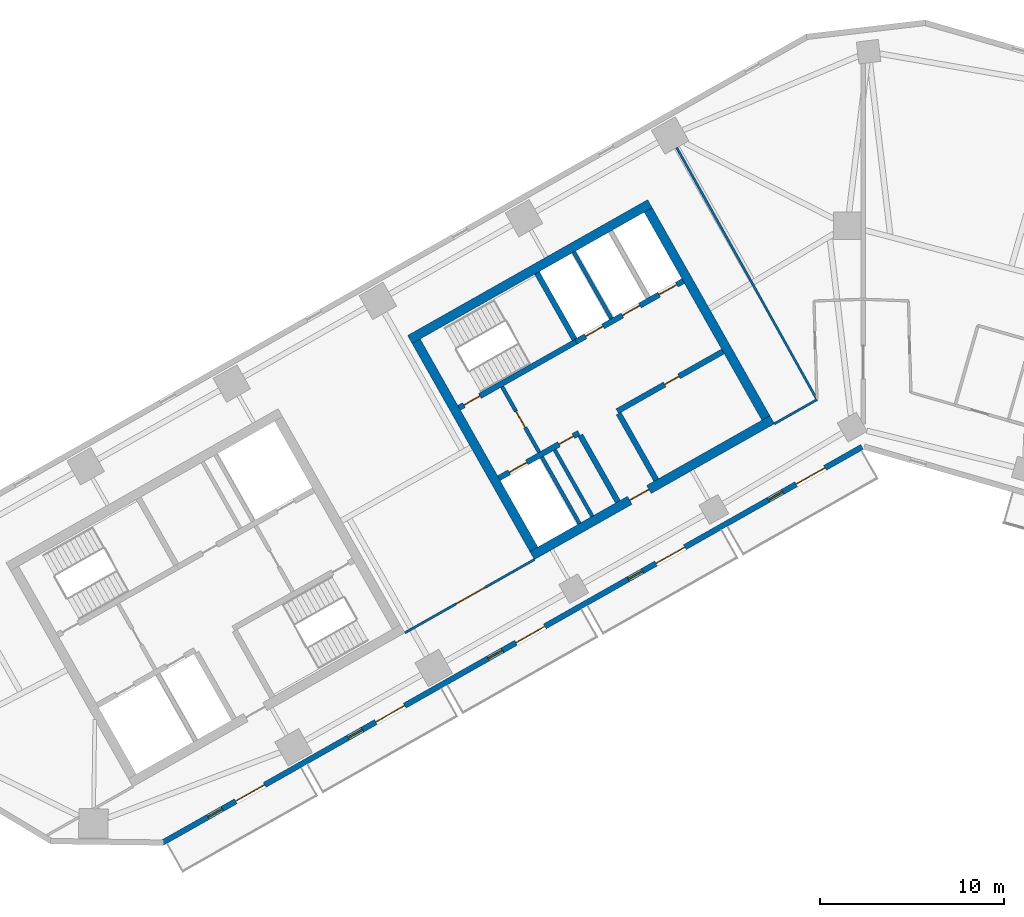
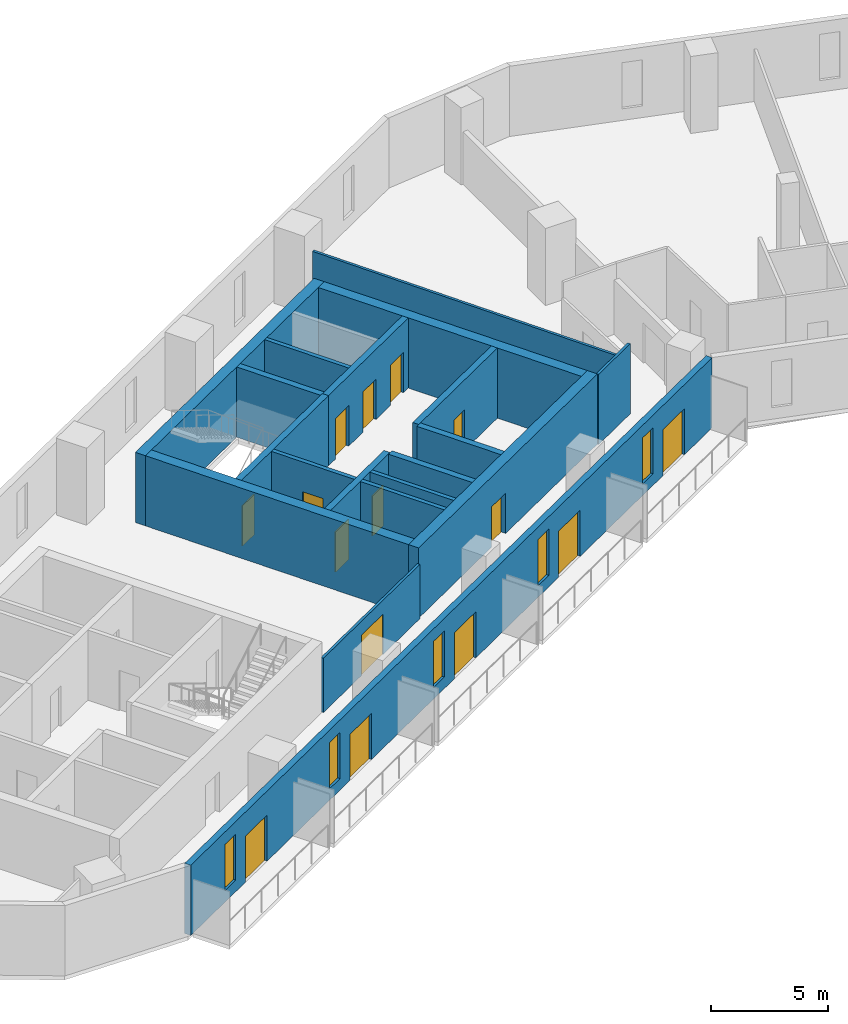
# One storey, part 4 of 9: 19 walls, 15 doors, 5 windows, 20 openings.
"""IFC4 building model written with IfcOpenShell, lengths in metres."""

from ifc_helpers import new_model, si_unit, direction, frame, frame_2d, origin, place, context, subcontext, project, spatial, rectangle, extrude, material, layer, layer_set, type_object, element, fill, save


model = new_model("IFC4")

# Units and contexts
model_context = context("Model", 3, precision=1e-05, world=origin(), true_north=direction((0.0, 1.0)))
body_context = subcontext(model_context, "Body", "Model", "MODEL_VIEW")
ifc_project = project(units=[si_unit("LENGTHUNIT", "METRE"), si_unit("AREAUNIT", "SQUARE_METRE"), si_unit("VOLUMEUNIT", "CUBIC_METRE"), si_unit("PLANEANGLEUNIT", "RADIAN"), si_unit("MASSUNIT", "GRAM", prefix="KILO")], contexts=[model_context])

# Site, building, storey
site_placement = place(None, origin())
site = spatial("IfcSite", under=ifc_project, at=site_placement, CompositionType="ELEMENT")
building_placement = place(site_placement, origin())
building = spatial("IfcBuilding", under=site, at=building_placement, Name="Binnacle Exchange Tower", CompositionType="ELEMENT")
storey_placement = place(building_placement, frame((0.0, 0.0, 198.89990234375)))
storey = spatial("IfcBuildingStorey", under=building, at=storey_placement, Name="L43", CompositionType="ELEMENT", Elevation=198.89990234375)

# Wall, openings, doors
ifc_material_1 = material(Name="Concrete C70/85", Category="concrete")
ifc_layer_1 = layer(ifc_material_1, 0.300048828125)
ifc_layer_set_1 = layer_set([ifc_layer_1], Name="Core wall - front 300")
wall_type_1 = type_object("IfcWallType", Name="Core wall - front 300", PredefinedType="SOLIDWALL", material=ifc_layer_set_1)
wall_1_placement = place(storey_placement, frame((-19.80517578125, 46.26708984375, 0.0), z_axis=(0.0, 0.0, 1.0), x_axis=(0.870353598469, 0.492427267353, 0.0)))
wall_1 = element("IfcWall", 1, at=wall_1_placement, inside=storey, type_object=wall_type_1, Name="Core wall CRWC2", PredefinedType="SOLIDWALL", context=body_context, shape_type="SweptSolid", body=[
    extrude(rectangle(XDim=5.0, YDim=0.300048828125, at=frame_2d((2.5, 0.0))), origin(), (0.0, 0.0, 1.0), 3.650146484375),
])
opening_1_placement = place(wall_1_placement, frame((0.64990234375, 0.0, 0.0)))
opening_1 = element("IfcOpeningElement", 2, at=opening_1_placement, cuts=wall_1, Name="Opening LD14", PredefinedType="OPENING", context=body_context, shape_type="SweptSolid", body=[
    extrude(rectangle(XDim=1.10009765625, YDim=2.10009765625, at=frame_2d((0.550048828125, 1.050048828125))), frame((0.0, 0.159912109375, 0.0), z_axis=(0.0, -1.0, 0.0), x_axis=(1.0, 0.0, 0.0)), (0.0, 0.0, 1.0), 0.320068359375),
])
opening_2_placement = place(wall_1_placement, frame((3.75, 0.0, 0.0)))
opening_2 = element("IfcOpeningElement", 3, at=opening_2_placement, cuts=wall_1, Name="Opening DC14", PredefinedType="OPENING", context=body_context, shape_type="SweptSolid", body=[
    extrude(rectangle(XDim=0.89990234375, YDim=2.10009765625, at=frame_2d((0.449951171875, 1.050048828125))), frame((0.0, 0.159912109375, 0.0), z_axis=(0.0, -1.0, 0.0), x_axis=(1.0, 0.0, 0.0)), (0.0, 0.0, 1.0), 0.320068359375),
])
ifc_material_2 = material(Name="Steel door leaf", Category="steel")
door_type_1 = type_object("IfcDoorType", Name="Fire door - lift landing 1100", OperationType="NOTDEFINED", PredefinedType="DOOR", material=ifc_material_2)
door_1_placement = place(opening_1_placement, origin())
door_1 = element("IfcDoor", 4, at=door_1_placement, inside=storey, type_object=door_type_1, Name="Landing door LD14 L43", OperationType="DOUBLE_DOOR_SLIDING", OverallHeight=2.10009765625, OverallWidth=1.10009765625, PredefinedType="DOOR", context=body_context, shape_type="SweptSolid", body=[
    extrude(rectangle(XDim=1.10009765625, YDim=2.10009765625, at=frame_2d((0.550048828125, 1.050048828125))), frame((0.0, 0.02490234375, 0.0), z_axis=(0.0, -1.0, 0.0), x_axis=(1.0, 0.0, 0.0)), (0.0, 0.0, 1.0), 0.050048828125),
])
fill(opening_1, door_1)
door_type_2 = type_object("IfcDoorType", Name="Fire door 900", OperationType="NOTDEFINED", PredefinedType="DOOR", material=ifc_material_2)
door_2_placement = place(opening_2_placement, frame((0.89990234375, 0.0, 0.0), z_axis=(0.0, 0.0, 1.0), x_axis=(-1.0, 0.0, 0.0)))
door_2 = element("IfcDoor", 5, at=door_2_placement, inside=storey, type_object=door_type_2, Name="Core room door FIBRE ENTRY ROOM", OperationType="SINGLE_SWING_LEFT", OverallHeight=2.10009765625, OverallWidth=0.89990234375, PredefinedType="DOOR", context=body_context, shape_type="SweptSolid", body=[
    extrude(rectangle(XDim=0.89990234375, YDim=2.10009765625, at=frame_2d((0.449951171875, 1.050048828125))), frame((0.0, 0.02490234375, 0.0), z_axis=(0.0, -1.0, 0.0), x_axis=(1.0, 0.0, 0.0)), (0.0, 0.0, 1.0), 0.050048828125),
])
fill(opening_2, door_2)

# Wall, opening, door
wall_2_placement = place(storey_placement, frame((-13.364501953125, 49.910888671875, 0.0), z_axis=(0.0, 0.0, 1.0), x_axis=(0.870356769198, 0.492421663121, 0.0)))
wall_2 = element("IfcWall", 6, at=wall_2_placement, inside=storey, type_object=wall_type_1, Name="Core wall CRWC3", PredefinedType="SOLIDWALL", context=body_context, shape_type="SweptSolid", body=[
    extrude(rectangle(XDim=6.60009765625, YDim=0.300048828125, at=frame_2d((3.300048828125, 0.0))), origin(), (0.0, 0.0, 1.0), 3.650146484375),
])
opening_3_placement = place(wall_2_placement, frame((2.949951171875, 0.0, 0.0)))
opening_3 = element("IfcOpeningElement", 7, at=opening_3_placement, cuts=wall_2, Name="Opening DC18", PredefinedType="OPENING", context=body_context, shape_type="SweptSolid", body=[
    extrude(rectangle(XDim=0.89990234375, YDim=2.10009765625, at=frame_2d((0.449951171875, 1.050048828125))), frame((0.0, 0.159912109375, 0.0), z_axis=(0.0, -1.0, 0.0), x_axis=(1.0, 0.0, 0.0)), (0.0, 0.0, 1.0), 0.320068359375),
])
door_3_placement = place(opening_3_placement, frame((0.89990234375, 0.0, 0.0), z_axis=(0.0, 0.0, 1.0), x_axis=(-1.0, 0.0, 0.0)))
door_3 = element("IfcDoor", 8, at=door_3_placement, inside=storey, type_object=door_type_2, Name="Core room door WORKSHOP STORE", OperationType="SINGLE_SWING_LEFT", OverallHeight=2.10009765625, OverallWidth=0.89990234375, PredefinedType="DOOR", context=body_context, shape_type="SweptSolid", body=[
    extrude(rectangle(XDim=0.89990234375, YDim=2.10009765625, at=frame_2d((0.449951171875, 1.050048828125))), frame((0.0, 0.02490234375, 0.0), z_axis=(0.0, -1.0, 0.0), x_axis=(1.0, 0.0, 0.0)), (0.0, 0.0, 1.0), 0.050048828125),
])
fill(opening_3, door_3)

# Wall, openings, doors
wall_3_placement = place(storey_placement, frame((-15.6181640625, 53.69140625, 0.0), z_axis=(0.0, 0.0, 1.0), x_axis=(0.870363236066, 0.492410232738, 0.0)))
wall_3 = element("IfcWall", 9, at=wall_3_placement, inside=storey, type_object=wall_type_1, Name="Core wall CRWC5", PredefinedType="SOLIDWALL", context=body_context, shape_type="SweptSolid", body=[
    extrude(rectangle(XDim=6.699951171875, YDim=0.300048828125, at=frame_2d((3.35009765625, 0.0))), origin(), (0.0, 0.0, 1.0), 3.650146484375),
])
opening_4_placement = place(wall_3_placement, frame((0.60009765625, 0.0, 0.0)))
opening_4 = element("IfcOpeningElement", 10, at=opening_4_placement, cuts=wall_3, Name="Opening LD5", PredefinedType="OPENING", context=body_context, shape_type="SweptSolid", body=[
    extrude(rectangle(XDim=1.10009765625, YDim=2.10009765625, at=frame_2d((0.550048828125, 1.050048828125))), frame((0.0, 0.159912109375, 0.0), z_axis=(0.0, -1.0, 0.0), x_axis=(1.0, 0.0, 0.0)), (0.0, 0.0, 1.0), 0.320068359375),
])
opening_5_placement = place(wall_3_placement, frame((2.89990234375, 0.0, 0.0)))
opening_5 = element("IfcOpeningElement", 11, at=opening_5_placement, cuts=wall_3, Name="Opening LD6", PredefinedType="OPENING", context=body_context, shape_type="SweptSolid", body=[
    extrude(rectangle(XDim=1.10009765625, YDim=2.10009765625, at=frame_2d((0.550048828125, 1.050048828125))), frame((0.0, 0.159912109375, 0.0), z_axis=(0.0, -1.0, 0.0), x_axis=(1.0, 0.0, 0.0)), (0.0, 0.0, 1.0), 0.320068359375),
])
opening_6_placement = place(wall_3_placement, frame((5.199951171875, 0.0, 0.0)))
opening_6 = element("IfcOpeningElement", 12, at=opening_6_placement, cuts=wall_3, Name="Opening LD7", PredefinedType="OPENING", context=body_context, shape_type="SweptSolid", body=[
    extrude(rectangle(XDim=1.10009765625, YDim=2.10009765625, at=frame_2d((0.550048828125, 1.050048828125))), frame((0.0, 0.159912109375, 0.0), z_axis=(0.0, -1.0, 0.0), x_axis=(1.0, 0.0, 0.0)), (0.0, 0.0, 1.0), 0.320068359375),
])
door_4_placement = place(opening_4_placement, origin())
door_4 = element("IfcDoor", 13, at=door_4_placement, inside=storey, type_object=door_type_1, Name="Landing door LD5 L43", OperationType="DOUBLE_DOOR_SLIDING", OverallHeight=2.10009765625, OverallWidth=1.10009765625, PredefinedType="DOOR", context=body_context, shape_type="SweptSolid", body=[
    extrude(rectangle(XDim=1.10009765625, YDim=2.10009765625, at=frame_2d((0.550048828125, 1.050048828125))), frame((0.0, 0.02490234375, 0.0), z_axis=(0.0, -1.0, 0.0), x_axis=(1.0, 0.0, 0.0)), (0.0, 0.0, 1.0), 0.050048828125),
])
fill(opening_4, door_4)
door_5_placement = place(opening_5_placement, origin())
door_5 = element("IfcDoor", 14, at=door_5_placement, inside=storey, type_object=door_type_1, Name="Landing door LD6 L43", OperationType="DOUBLE_DOOR_SLIDING", OverallHeight=2.10009765625, OverallWidth=1.10009765625, PredefinedType="DOOR", context=body_context, shape_type="SweptSolid", body=[
    extrude(rectangle(XDim=1.10009765625, YDim=2.10009765625, at=frame_2d((0.550048828125, 1.050048828125))), frame((0.0, 0.02490234375, 0.0), z_axis=(0.0, -1.0, 0.0), x_axis=(1.0, 0.0, 0.0)), (0.0, 0.0, 1.0), 0.050048828125),
])
fill(opening_5, door_5)
door_6_placement = place(opening_6_placement, origin())
door_6 = element("IfcDoor", 15, at=door_6_placement, inside=storey, type_object=door_type_1, Name="Landing door LD7 L43", OperationType="DOUBLE_DOOR_SLIDING", OverallHeight=2.10009765625, OverallWidth=1.10009765625, PredefinedType="DOOR", context=body_context, shape_type="SweptSolid", body=[
    extrude(rectangle(XDim=1.10009765625, YDim=2.10009765625, at=frame_2d((0.550048828125, 1.050048828125))), frame((0.0, 0.02490234375, 0.0), z_axis=(0.0, -1.0, 0.0), x_axis=(1.0, 0.0, 0.0)), (0.0, 0.0, 1.0), 0.050048828125),
])
fill(opening_6, door_6)

# Walls
for number, where, z_axis, x_axis, name in (
    (16, (-15.37939453125, 48.5986328125, 0.0), (0.0, 0.0, 1.0), (0.492396453737, -0.870371031427, 0.0), "Core wall CRWC13"),
    (17, (-13.29052734375, 49.780517578125, 0.0), (0.0, 0.0, 1.0), (0.492396453737, -0.870371031427, 0.0), "Core wall CRWC15"),
):
    element("IfcWall", number, at=place(storey_placement, frame(where, z_axis=z_axis, x_axis=x_axis)), inside=storey, type_object=wall_type_1, Name=name, PredefinedType="SOLIDWALL", context=body_context, shape_type="SweptSolid", body=[
        extrude(rectangle(XDim=4.14990234375, YDim=0.300048828125, at=frame_2d((2.074951171875, 0.0))), origin(), (0.0, 0.0, 1.0), 3.650146484375),
    ])

# Wall, opening, door
ifc_layer_2 = layer(ifc_material_1, 0.5)
ifc_layer_set_2 = layer_set([ifc_layer_2], Name="Core wall - outer 500")
wall_type_2 = type_object("IfcWallType", Name="Core wall - outer 500", PredefinedType="SOLIDWALL", material=ifc_layer_set_2)
wall_4_placement = place(storey_placement, frame((-17.999755859375, 42.060791015625, 0.0), z_axis=(0.0, 0.0, 1.0), x_axis=(0.870356627484, 0.492421913601, 0.0)))
wall_4 = element("IfcWall", 18, at=wall_4_placement, inside=storey, type_object=wall_type_2, Name="Core wall CRWC1", PredefinedType="SOLIDWALL", context=body_context, shape_type="SweptSolid", body=[
    extrude(rectangle(XDim=14.999755859375, YDim=0.5, at=frame_2d((7.5, 0.0))), origin(), (0.0, 0.0, 1.0), 3.650146484375),
])
opening_7_placement = place(wall_4_placement, frame((6.10009765625, 0.0, 0.0)))
opening_7 = element("IfcOpeningElement", 19, at=opening_7_placement, cuts=wall_4, Name="Opening DC7", PredefinedType="OPENING", context=body_context, shape_type="SweptSolid", body=[
    extrude(rectangle(XDim=1.199951171875, YDim=2.10009765625, at=frame_2d((0.60009765625, 1.050048828125))), frame((0.0, 0.260009765625, 0.0), z_axis=(0.0, -1.0, 0.0), x_axis=(1.0, 0.0, 0.0)), (0.0, 0.0, 1.0), 0.52001953125),
])
door_type_3 = type_object("IfcDoorType", Name="Fire door 1200", OperationType="NOTDEFINED", PredefinedType="DOOR", material=ifc_material_2)
door_7_placement = place(opening_7_placement, frame((1.199951171875, 0.0, 0.0), z_axis=(0.0, 0.0, 1.0), x_axis=(-1.0, 0.0, 0.0)))
door_7 = element("IfcDoor", 20, at=door_7_placement, inside=storey, type_object=door_type_3, Name="Lift lobby entrance door core C", OperationType="SINGLE_SWING_RIGHT", OverallHeight=2.10009765625, OverallWidth=1.199951171875, PredefinedType="DOOR", context=body_context, shape_type="SweptSolid", body=[
    extrude(rectangle(XDim=1.199951171875, YDim=2.10009765625, at=frame_2d((0.60009765625, 1.050048828125))), frame((0.0, 0.02490234375, 0.0), z_axis=(0.0, -1.0, 0.0), x_axis=(1.0, 0.0, 0.0)), (0.0, 0.0, 1.0), 0.050048828125),
])
fill(opening_7, door_7)

# Walls
wall_5_placement = place(storey_placement, frame((-24.6474609375, 53.810546875, 0.0), z_axis=(0.0, 0.0, 1.0), x_axis=(0.87034965173, 0.492434243055, 0.0)))
element("IfcWall", 21, at=wall_5_placement, inside=storey, type_object=wall_type_2, Name="Core wall CRWC6", PredefinedType="SOLIDWALL", context=body_context, shape_type="SweptSolid", body=[
    extrude(rectangle(XDim=15.0, YDim=0.5, at=frame_2d((7.5, 0.0))), origin(), (0.0, 0.0, 1.0), 3.650146484375),
])
for number, where, z_axis, x_axis, name in (
    (22, (-24.306884765625, 53.716064453125, 0.0), (0.0, 0.0, 1.0), (0.492427267353, -0.870353598469, 0.0), "Core wall CRWC7"),
    (23, (-11.686767578125, 60.856201171875, 0.0), (0.0, 0.0, 1.0), (0.492427267353, -0.870353598469, 0.0), "Core wall CRWC24"),
):
    element("IfcWall", number, at=place(storey_placement, frame(where, z_axis=z_axis, x_axis=x_axis)), inside=storey, type_object=wall_type_2, Name=name, PredefinedType="SOLIDWALL", context=body_context, shape_type="SweptSolid", body=[
        extrude(rectangle(XDim=13.0, YDim=0.5, at=frame_2d((6.5, 0.0))), origin(), (0.0, 0.0, 1.0), 3.650146484375),
    ])

# Wall, opening, door
ifc_layer_3 = layer(ifc_material_1, 0.300048828125)
ifc_layer_set_3 = layer_set([ifc_layer_3], Name="Core wall - stair 300")
wall_type_3 = type_object("IfcWallType", Name="Core wall - stair 300", PredefinedType="SOLIDWALL", material=ifc_layer_set_3)
wall_6_placement = place(storey_placement, frame((-21.9716796875, 50.0966796875, 0.0), z_axis=(0.0, 0.0, 1.0), x_axis=(0.870350976978, 0.492431900747, 0.0)))
wall_6 = element("IfcWall", 24, at=wall_6_placement, inside=storey, type_object=wall_type_3, Name="Core wall CRWC4", PredefinedType="SOLIDWALL", context=body_context, shape_type="SweptSolid", body=[
    extrude(rectangle(XDim=7.300048828125, YDim=0.300048828125, at=frame_2d((3.64990234375, 0.0))), origin(), (0.0, 0.0, 1.0), 3.650146484375),
])
opening_8_placement = place(wall_6_placement, frame((0.300048828125, 0.0, 0.0)))
opening_8 = element("IfcOpeningElement", 25, at=opening_8_placement, cuts=wall_6, Name="Opening DC1", PredefinedType="OPENING", context=body_context, shape_type="SweptSolid", body=[
    extrude(rectangle(XDim=1.0, YDim=2.10009765625, at=frame_2d((0.5, 1.050048828125))), frame((0.0, 0.159912109375, 0.0), z_axis=(0.0, -1.0, 0.0), x_axis=(1.0, 0.0, 0.0)), (0.0, 0.0, 1.0), 0.320068359375),
])
door_type_4 = type_object("IfcDoorType", Name="Fire door 1000", OperationType="NOTDEFINED", PredefinedType="DOOR", material=ifc_material_2)
door_8_placement = place(opening_8_placement, origin())
door_8 = element("IfcDoor", 26, at=door_8_placement, inside=storey, type_object=door_type_4, Name="Stair door ST-C1", OperationType="SINGLE_SWING_LEFT", OverallHeight=2.10009765625, OverallWidth=1.0, PredefinedType="DOOR", context=body_context, shape_type="SweptSolid", body=[
    extrude(rectangle(XDim=1.0, YDim=2.10009765625, at=frame_2d((0.5, 1.050048828125))), frame((0.0, 0.02490234375, 0.0), z_axis=(0.0, -1.0, 0.0), x_axis=(1.0, 0.0, 0.0)), (0.0, 0.0, 1.0), 0.050048828125),
])
fill(opening_8, door_8)

# Wall
wall_7_placement = place(storey_placement, frame((-17.735595703125, 57.433837890625, 0.0), z_axis=(0.0, 0.0, 1.0), x_axis=(0.492421666909, -0.870356767055, 0.0)))
element("IfcWall", 27, at=wall_7_placement, inside=storey, type_object=wall_type_3, Name="Core wall CRWC14", PredefinedType="SOLIDWALL", context=body_context, shape_type="SweptSolid", body=[
    extrude(rectangle(XDim=4.14990234375, YDim=0.300048828125, at=frame_2d((2.074951171875, 0.0))), origin(), (0.0, 0.0, 1.0), 3.650146484375),
])

# Wall, openings, doors, windows
ifc_material_3 = material(Name="Bronze aluminium cladding", Category="aluminium")
ifc_layer_4 = layer(ifc_material_3, 0.300048828125)
ifc_layer_set_4 = layer_set([ifc_layer_4], Name="External wall - spandrel 300")
wall_type_4 = type_object("IfcWallType", Name="External wall - spandrel 300", PredefinedType="STANDARD", material=ifc_layer_set_4)
wall_8_placement = place(storey_placement, frame((-0.0546875, 47.968994140625, 0.0), z_axis=(0.0, 0.0, 1.0), x_axis=(-0.870355730478, -0.492423499058, 0.0)))
wall_8 = element("IfcWall", 28, at=wall_8_placement, inside=storey, type_object=wall_type_4, Name="External wall EW-G01 L43", PredefinedType="STANDARD", context=body_context, shape_type="SweptSolid", body=[
    extrude(rectangle(XDim=43.750244140625, YDim=0.300048828125, at=frame_2d((21.875, 0.0))), origin(), (0.0, 0.0, 1.0), 3.650146484375),
])
opening_9_placement = place(wall_8_placement, frame((39.976806640625, 0.0, 0.60009765625)))
opening_9 = element("IfcOpeningElement", 29, at=opening_9_placement, cuts=wall_8, Name="Opening WS3", PredefinedType="OPENING", context=body_context, shape_type="SweptSolid", body=[
    extrude(rectangle(XDim=0.89990234375, YDim=2.39990234375, at=frame_2d((0.449951171875, 1.199951171875))), frame((0.0, 0.159912109375, 0.0), z_axis=(0.0, -1.0, 0.0), x_axis=(1.0, 0.0, 0.0)), (0.0, 0.0, 1.0), 0.320068359375),
])
opening_10_placement = place(wall_8_placement, frame((37.338134765625, 0.0, 0.0)))
opening_10 = element("IfcOpeningElement", 30, at=opening_10_placement, cuts=wall_8, Name="Opening D-FS11-01", PredefinedType="OPENING", context=body_context, shape_type="SweptSolid", body=[
    extrude(rectangle(XDim=1.800048828125, YDim=2.39990234375, at=frame_2d((0.89990234375, 1.199951171875))), frame((0.0, 0.159912109375, 0.0), z_axis=(0.0, -1.0, 0.0), x_axis=(1.0, 0.0, 0.0)), (0.0, 0.0, 1.0), 0.320068359375),
])
opening_11_placement = place(wall_8_placement, frame((31.222412109375, 0.0, 0.60009765625)))
opening_11 = element("IfcOpeningElement", 31, at=opening_11_placement, cuts=wall_8, Name="Opening WS3", PredefinedType="OPENING", context=body_context, shape_type="SweptSolid", body=[
    extrude(rectangle(XDim=0.89990234375, YDim=2.39990234375, at=frame_2d((0.449951171875, 1.199951171875))), frame((0.0, 0.159912109375, 0.0), z_axis=(0.0, -1.0, 0.0), x_axis=(1.0, 0.0, 0.0)), (0.0, 0.0, 1.0), 0.320068359375),
])
opening_12_placement = place(wall_8_placement, frame((28.583740234375, 0.0, 0.0)))
opening_12 = element("IfcOpeningElement", 32, at=opening_12_placement, cuts=wall_8, Name="Opening D-FS11-02", PredefinedType="OPENING", context=body_context, shape_type="SweptSolid", body=[
    extrude(rectangle(XDim=1.800048828125, YDim=2.39990234375, at=frame_2d((0.89990234375, 1.199951171875))), frame((0.0, 0.159912109375, 0.0), z_axis=(0.0, -1.0, 0.0), x_axis=(1.0, 0.0, 0.0)), (0.0, 0.0, 1.0), 0.320068359375),
])
opening_13_placement = place(wall_8_placement, frame((22.4677734375, 0.0, 0.60009765625)))
opening_13 = element("IfcOpeningElement", 33, at=opening_13_placement, cuts=wall_8, Name="Opening WS3", PredefinedType="OPENING", context=body_context, shape_type="SweptSolid", body=[
    extrude(rectangle(XDim=0.89990234375, YDim=2.39990234375, at=frame_2d((0.449951171875, 1.199951171875))), frame((0.0, 0.159912109375, 0.0), z_axis=(0.0, -1.0, 0.0), x_axis=(1.0, 0.0, 0.0)), (0.0, 0.0, 1.0), 0.320068359375),
])
opening_14_placement = place(wall_8_placement, frame((19.8291015625, 0.0, 0.0)))
opening_14 = element("IfcOpeningElement", 34, at=opening_14_placement, cuts=wall_8, Name="Opening D-FS11-03", PredefinedType="OPENING", context=body_context, shape_type="SweptSolid", body=[
    extrude(rectangle(XDim=1.800048828125, YDim=2.39990234375, at=frame_2d((0.89990234375, 1.199951171875))), frame((0.0, 0.159912109375, 0.0), z_axis=(0.0, -1.0, 0.0), x_axis=(1.0, 0.0, 0.0)), (0.0, 0.0, 1.0), 0.320068359375),
])
opening_15_placement = place(wall_8_placement, frame((13.713134765625, 0.0, 0.60009765625)))
opening_15 = element("IfcOpeningElement", 35, at=opening_15_placement, cuts=wall_8, Name="Opening WS3", PredefinedType="OPENING", context=body_context, shape_type="SweptSolid", body=[
    extrude(rectangle(XDim=0.89990234375, YDim=2.39990234375, at=frame_2d((0.449951171875, 1.199951171875))), frame((0.0, 0.159912109375, 0.0), z_axis=(0.0, -1.0, 0.0), x_axis=(1.0, 0.0, 0.0)), (0.0, 0.0, 1.0), 0.320068359375),
])
opening_16_placement = place(wall_8_placement, frame((11.07470703125, 0.0, 0.0)))
opening_16 = element("IfcOpeningElement", 36, at=opening_16_placement, cuts=wall_8, Name="Opening D-FS11-04", PredefinedType="OPENING", context=body_context, shape_type="SweptSolid", body=[
    extrude(rectangle(XDim=1.800048828125, YDim=2.39990234375, at=frame_2d((0.89990234375, 1.199951171875))), frame((0.0, 0.159912109375, 0.0), z_axis=(0.0, -1.0, 0.0), x_axis=(1.0, 0.0, 0.0)), (0.0, 0.0, 1.0), 0.320068359375),
])
opening_17_placement = place(wall_8_placement, frame((4.958740234375, 0.0, 0.60009765625)))
opening_17 = element("IfcOpeningElement", 37, at=opening_17_placement, cuts=wall_8, Name="Opening WS3", PredefinedType="OPENING", context=body_context, shape_type="SweptSolid", body=[
    extrude(rectangle(XDim=0.89990234375, YDim=2.39990234375, at=frame_2d((0.449951171875, 1.199951171875))), frame((0.0, 0.159912109375, 0.0), z_axis=(0.0, -1.0, 0.0), x_axis=(1.0, 0.0, 0.0)), (0.0, 0.0, 1.0), 0.320068359375),
])
opening_18_placement = place(wall_8_placement, frame((2.320068359375, 0.0, 0.0)))
opening_18 = element("IfcOpeningElement", 38, at=opening_18_placement, cuts=wall_8, Name="Opening D-FS11-05", PredefinedType="OPENING", context=body_context, shape_type="SweptSolid", body=[
    extrude(rectangle(XDim=1.800048828125, YDim=2.39990234375, at=frame_2d((0.89990234375, 1.199951171875))), frame((0.0, 0.159912109375, 0.0), z_axis=(0.0, -1.0, 0.0), x_axis=(1.0, 0.0, 0.0)), (0.0, 0.0, 1.0), 0.320068359375),
])
ifc_material_4 = material(Name="Bronze anodised aluminium frame", Category="aluminium")
door_type_5 = type_object("IfcDoorType", Name="DB DOOR 1800x2400", OperationType="DOUBLE_DOOR_SINGLE_SWING", PredefinedType="DOOR", material=ifc_material_4)
door_9_placement = place(opening_10_placement, origin())
door_9 = element("IfcDoor", 39, at=door_9_placement, inside=storey, type_object=door_type_5, Name="Door D-FS11-01 L43", OperationType="DOUBLE_DOOR_SINGLE_SWING", OverallHeight=2.39990234375, OverallWidth=1.800048828125, PredefinedType="DOOR", context=body_context, shape_type="SweptSolid", body=[
    extrude(rectangle(XDim=1.800048828125, YDim=2.39990234375, at=frame_2d((0.89990234375, 1.199951171875))), frame((0.0, 0.02490234375, 0.0), z_axis=(0.0, -1.0, 0.0), x_axis=(1.0, 0.0, 0.0)), (0.0, 0.0, 1.0), 0.050048828125),
])
fill(opening_10, door_9)
door_10_placement = place(opening_12_placement, origin())
door_10 = element("IfcDoor", 40, at=door_10_placement, inside=storey, type_object=door_type_5, Name="Door D-FS11-02 L43", OperationType="DOUBLE_DOOR_SINGLE_SWING", OverallHeight=2.39990234375, OverallWidth=1.800048828125, PredefinedType="DOOR", context=body_context, shape_type="SweptSolid", body=[
    extrude(rectangle(XDim=1.800048828125, YDim=2.39990234375, at=frame_2d((0.89990234375, 1.199951171875))), frame((0.0, 0.02490234375, 0.0), z_axis=(0.0, -1.0, 0.0), x_axis=(1.0, 0.0, 0.0)), (0.0, 0.0, 1.0), 0.050048828125),
])
fill(opening_12, door_10)
door_11_placement = place(opening_14_placement, origin())
door_11 = element("IfcDoor", 41, at=door_11_placement, inside=storey, type_object=door_type_5, Name="Door D-FS11-03 L43", OperationType="DOUBLE_DOOR_SINGLE_SWING", OverallHeight=2.39990234375, OverallWidth=1.800048828125, PredefinedType="DOOR", context=body_context, shape_type="SweptSolid", body=[
    extrude(rectangle(XDim=1.800048828125, YDim=2.39990234375, at=frame_2d((0.89990234375, 1.199951171875))), frame((0.0, 0.02490234375, 0.0), z_axis=(0.0, -1.0, 0.0), x_axis=(1.0, 0.0, 0.0)), (0.0, 0.0, 1.0), 0.050048828125),
])
fill(opening_14, door_11)
door_12_placement = place(opening_16_placement, origin())
door_12 = element("IfcDoor", 42, at=door_12_placement, inside=storey, type_object=door_type_5, Name="Door D-FS11-04 L43", OperationType="DOUBLE_DOOR_SINGLE_SWING", OverallHeight=2.39990234375, OverallWidth=1.800048828125, PredefinedType="DOOR", context=body_context, shape_type="SweptSolid", body=[
    extrude(rectangle(XDim=1.800048828125, YDim=2.39990234375, at=frame_2d((0.89990234375, 1.199951171875))), frame((0.0, 0.02490234375, 0.0), z_axis=(0.0, -1.0, 0.0), x_axis=(1.0, 0.0, 0.0)), (0.0, 0.0, 1.0), 0.050048828125),
])
fill(opening_16, door_12)
door_13_placement = place(opening_18_placement, origin())
door_13 = element("IfcDoor", 43, at=door_13_placement, inside=storey, type_object=door_type_5, Name="Door D-FS11-05 L43", OperationType="DOUBLE_DOOR_SINGLE_SWING", OverallHeight=2.39990234375, OverallWidth=1.800048828125, PredefinedType="DOOR", context=body_context, shape_type="SweptSolid", body=[
    extrude(rectangle(XDim=1.800048828125, YDim=2.39990234375, at=frame_2d((0.89990234375, 1.199951171875))), frame((0.0, 0.02490234375, 0.0), z_axis=(0.0, -1.0, 0.0), x_axis=(1.0, 0.0, 0.0)), (0.0, 0.0, 1.0), 0.050048828125),
])
fill(opening_18, door_13)
window_type = type_object("IfcWindowType", Name="WS3 WINDOW 900x2400", PartitioningType="SINGLE_PANEL", PredefinedType="WINDOW", material=ifc_material_4)
window_1_placement = place(opening_9_placement, origin())
window_1 = element("IfcWindow", 44, at=window_1_placement, inside=storey, type_object=window_type, Name="Window WS3 L43", OverallHeight=2.39990234375, OverallWidth=0.89990234375, PartitioningType="SINGLE_PANEL", PredefinedType="WINDOW", context=body_context, shape_type="SweptSolid", body=[
    extrude(rectangle(XDim=0.89990234375, YDim=2.39990234375, at=frame_2d((0.449951171875, 1.199951171875))), frame((0.0, 0.030029296875, 0.0), z_axis=(0.0, -1.0, 0.0), x_axis=(1.0, 0.0, 0.0)), (0.0, 0.0, 1.0), 0.06005859375),
])
fill(opening_9, window_1)
window_2_placement = place(opening_11_placement, origin())
window_2 = element("IfcWindow", 45, at=window_2_placement, inside=storey, type_object=window_type, Name="Window WS3 L43", OverallHeight=2.39990234375, OverallWidth=0.89990234375, PartitioningType="SINGLE_PANEL", PredefinedType="WINDOW", context=body_context, shape_type="SweptSolid", body=[
    extrude(rectangle(XDim=0.89990234375, YDim=2.39990234375, at=frame_2d((0.449951171875, 1.199951171875))), frame((0.0, 0.030029296875, 0.0), z_axis=(0.0, -1.0, 0.0), x_axis=(1.0, 0.0, 0.0)), (0.0, 0.0, 1.0), 0.06005859375),
])
fill(opening_11, window_2)
window_3_placement = place(opening_13_placement, origin())
window_3 = element("IfcWindow", 46, at=window_3_placement, inside=storey, type_object=window_type, Name="Window WS3 L43", OverallHeight=2.39990234375, OverallWidth=0.89990234375, PartitioningType="SINGLE_PANEL", PredefinedType="WINDOW", context=body_context, shape_type="SweptSolid", body=[
    extrude(rectangle(XDim=0.89990234375, YDim=2.39990234375, at=frame_2d((0.449951171875, 1.199951171875))), frame((0.0, 0.030029296875, 0.0), z_axis=(0.0, -1.0, 0.0), x_axis=(1.0, 0.0, 0.0)), (0.0, 0.0, 1.0), 0.06005859375),
])
fill(opening_13, window_3)
window_4_placement = place(opening_15_placement, origin())
window_4 = element("IfcWindow", 47, at=window_4_placement, inside=storey, type_object=window_type, Name="Window WS3 L43", OverallHeight=2.39990234375, OverallWidth=0.89990234375, PartitioningType="SINGLE_PANEL", PredefinedType="WINDOW", context=body_context, shape_type="SweptSolid", body=[
    extrude(rectangle(XDim=0.89990234375, YDim=2.39990234375, at=frame_2d((0.449951171875, 1.199951171875))), frame((0.0, 0.030029296875, 0.0), z_axis=(0.0, -1.0, 0.0), x_axis=(1.0, 0.0, 0.0)), (0.0, 0.0, 1.0), 0.06005859375),
])
fill(opening_15, window_4)
window_5_placement = place(opening_17_placement, origin())
window_5 = element("IfcWindow", 48, at=window_5_placement, inside=storey, type_object=window_type, Name="Window WS3 L43", OverallHeight=2.39990234375, OverallWidth=0.89990234375, PartitioningType="SINGLE_PANEL", PredefinedType="WINDOW", context=body_context, shape_type="SweptSolid", body=[
    extrude(rectangle(XDim=0.89990234375, YDim=2.39990234375, at=frame_2d((0.449951171875, 1.199951171875))), frame((0.0, 0.030029296875, 0.0), z_axis=(0.0, -1.0, 0.0), x_axis=(1.0, 0.0, 0.0)), (0.0, 0.0, 1.0), 0.06005859375),
])
fill(opening_17, window_5)

# Wall, opening, door
ifc_material_5 = material(Name="Masonry block wall", Category="masonry")
ifc_layer_5 = layer(ifc_material_5, 0.199951171875)
ifc_layer_set_5 = layer_set([ifc_layer_5], Name="Fire wall - vestibule 200")
wall_type_5 = type_object("IfcWallType", Name="Fire wall - vestibule 200", PredefinedType="PARTITIONING", material=ifc_layer_set_5)
wall_9_placement = place(storey_placement, frame((-19.635009765625, 51.246337890625, 0.0), z_axis=(0.0, 0.0, 1.0), x_axis=(0.492408451753, -0.87036424366, 0.0)))
wall_9 = element("IfcWall", 49, at=wall_9_placement, inside=storey, type_object=wall_type_5, Name="Core wall CRWC10", PredefinedType="PARTITIONING", context=body_context, shape_type="SweptSolid", body=[
    extrude(rectangle(XDim=4.099853515625, YDim=0.199951171875, at=frame_2d((2.0498046875, 0.0))), origin(), (0.0, 0.0, 1.0), 3.650146484375),
])
opening_19_placement = place(wall_9_placement, frame((1.550048828125, 0.0, 0.0)))
opening_19 = element("IfcOpeningElement", 50, at=opening_19_placement, cuts=wall_9, Name="Opening DC3", PredefinedType="OPENING", context=body_context, shape_type="SweptSolid", body=[
    extrude(rectangle(XDim=1.0, YDim=2.10009765625, at=frame_2d((0.5, 1.050048828125))), frame((0.0, 0.10986328125, 0.0), z_axis=(0.0, -1.0, 0.0), x_axis=(1.0, 0.0, 0.0)), (0.0, 0.0, 1.0), 0.219970703125),
])
door_14_placement = place(opening_19_placement, frame((1.0, 0.0, 0.0), z_axis=(0.0, 0.0, 1.0), x_axis=(-1.0, 0.0, 0.0)))
door_14 = element("IfcDoor", 51, at=door_14_placement, inside=storey, type_object=door_type_4, Name="Vestibule door VEST-W", OperationType="SINGLE_SWING_RIGHT", OverallHeight=2.10009765625, OverallWidth=1.0, PredefinedType="DOOR", context=body_context, shape_type="SweptSolid", body=[
    extrude(rectangle(XDim=1.0, YDim=2.10009765625, at=frame_2d((0.5, 1.050048828125))), frame((0.0, 0.02490234375, 0.0), z_axis=(0.0, -1.0, 0.0), x_axis=(1.0, 0.0, 0.0)), (0.0, 0.0, 1.0), 0.050048828125),
])
fill(opening_19, door_14)

ifc_material_6 = material(Name="Gypsum partition")
ifc_layer_6 = layer(ifc_material_6, 0.125)
ifc_layer_set_6 = layer_set([ifc_layer_6], Name="Partition 125")
wall_type_6 = type_object("IfcWallType", Name="Partition 125", PredefinedType="PARTITIONING", material=ifc_layer_set_6)
wall_10_placement = place(storey_placement, frame((-24.9189453125, 37.85888671875, 0.0), z_axis=(0.0, 0.0, 1.0), x_axis=(0.870357635969, 0.492420131098, 0.0)))
wall_10 = element("IfcWall", 52, at=wall_10_placement, inside=storey, type_object=wall_type_6, Name="Partition W03", PredefinedType="PARTITIONING", context=body_context, shape_type="SweptSolid", body=[
    extrude(rectangle(XDim=8.0908203125, YDim=0.125, at=frame_2d((4.04541015625, 0.0))), origin(), (0.0, 0.0, 1.0), 2.822021484375),
])
opening_20_placement = place(wall_10_placement, frame((3.199951171875, 0.0, 0.0)))
opening_20 = element("IfcOpeningElement", 53, at=opening_20_placement, cuts=wall_10, Name="Opening DL41-01", PredefinedType="OPENING", context=body_context, shape_type="SweptSolid", body=[
    extrude(rectangle(XDim=1.800048828125, YDim=2.10009765625, at=frame_2d((0.89990234375, 1.050048828125))), frame((0.0, 0.072509765625, 0.0), z_axis=(0.0, -1.0, 0.0), x_axis=(1.0, 0.0, 0.0)), (0.0, 0.0, 1.0), 0.14501953125),
])
ifc_material_7 = material(Name="Timber door leaf", Category="wood")
door_type_6 = type_object("IfcDoorType", Name="Double door 1800", OperationType="NOTDEFINED", PredefinedType="DOOR", material=ifc_material_7)
door_15_placement = place(opening_20_placement, origin())
door_15 = element("IfcDoor", 54, at=door_15_placement, inside=storey, type_object=door_type_6, Name="Door DL41-01", OperationType="DOUBLE_DOOR_SINGLE_SWING", OverallHeight=2.10009765625, OverallWidth=1.800048828125, PredefinedType="DOOR", context=body_context, shape_type="SweptSolid", body=[
    extrude(rectangle(XDim=1.800048828125, YDim=2.10009765625, at=frame_2d((0.89990234375, 1.050048828125))), frame((0.0, 0.02490234375, 0.0), z_axis=(0.0, -1.0, 0.0), x_axis=(1.0, 0.0, 0.0)), (0.0, 0.0, 1.0), 0.050048828125),
])
fill(opening_20, door_15)

# Walls
wall_11_placement = place(storey_placement, frame((-10.136962890625, 64.242919921875, 0.0), z_axis=(0.0, 0.0, 1.0), x_axis=(0.486452862603, -0.873706822948, 0.0)))
element("IfcWall", 55, at=wall_11_placement, inside=storey, type_object=wall_type_6, Name="Partition W04", PredefinedType="PARTITIONING", context=body_context, shape_type="SweptSolid", body=[
    extrude(rectangle(XDim=15.684814453125, YDim=0.125, at=frame_2d((7.84228515625, 0.0))), origin(), (0.0, 0.0, 1.0), 2.822021484375),
])
wall_12_placement = place(storey_placement, frame((-4.821044921875, 49.22998046875, 0.0), z_axis=(0.0, 0.0, 1.0), x_axis=(0.870371217631, 0.492396124598, 0.0)))
element("IfcWall", 56, at=wall_12_placement, inside=storey, type_object=wall_type_6, Name="Partition W05", PredefinedType="PARTITIONING", context=body_context, shape_type="SweptSolid", body=[
    extrude(rectangle(XDim=2.65869140625, YDim=0.125, at=frame_2d((1.329345703125, 0.0))), origin(), (0.0, 0.0, 1.0), 3.650146484375),
])
ifc_layer_7 = layer(ifc_material_5, 0.199951171875)
ifc_layer_set_7 = layer_set([ifc_layer_7], Name="Riser wall 200")
wall_type_7 = type_object("IfcWallType", Name="Riser wall 200", PredefinedType="SOLIDWALL", material=ifc_layer_set_7)
for number, where, z_axis, x_axis, name in (
    (57, (-17.468505859375, 47.416748046875, 0.0), (0.0, 0.0, 1.0), (0.492441017253, -0.870345818929, 0.0), "Core wall CRWC8"),
    (58, (-16.772216796875, 47.810791015625, 0.0), (0.0, 0.0, 1.0), (0.492441017253, -0.870345818929, 0.0), "Core wall CRWC11"),
):
    element("IfcWall", number, at=place(storey_placement, frame(where, z_axis=z_axis, x_axis=x_axis)), inside=storey, type_object=wall_type_7, Name=name, PredefinedType="SOLIDWALL", context=body_context, shape_type="SweptSolid", body=[
        extrude(rectangle(XDim=4.150146484375, YDim=0.199951171875, at=frame_2d((2.0751953125, 0.0))), origin(), (0.0, 0.0, 1.0), 3.650146484375),
    ])
ifc_layer_8 = layer(ifc_material_5, 0.199951171875)
ifc_layer_set_8 = layer_set([ifc_layer_8], Name="Shaft wall 200")
wall_type_8 = type_object("IfcWallType", Name="Shaft wall 200", PredefinedType="SOLIDWALL", material=ifc_layer_set_8)
wall_13_placement = place(storey_placement, frame((-15.73388671875, 58.56640625, 0.0), z_axis=(0.0, 0.0, 1.0), x_axis=(0.492441017253, -0.870345818929, 0.0)))
element("IfcWall", 59, at=wall_13_placement, inside=storey, type_object=wall_type_8, Name="Core wall CRWC18", PredefinedType="SOLIDWALL", context=body_context, shape_type="SweptSolid", body=[
    extrude(rectangle(XDim=4.150146484375, YDim=0.199951171875, at=frame_2d((2.0751953125, 0.0))), origin(), (0.0, 0.0, 1.0), 3.650146484375),
])

save(model, "model.ifc")
